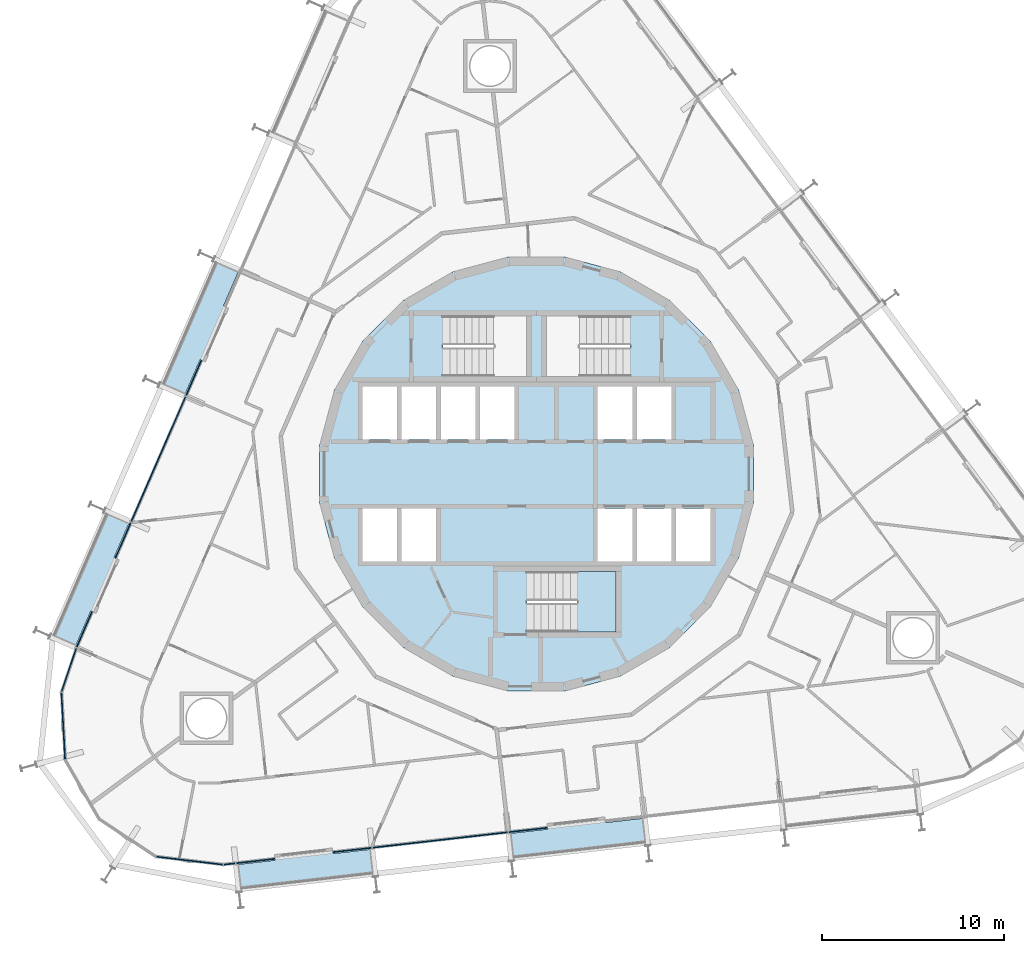
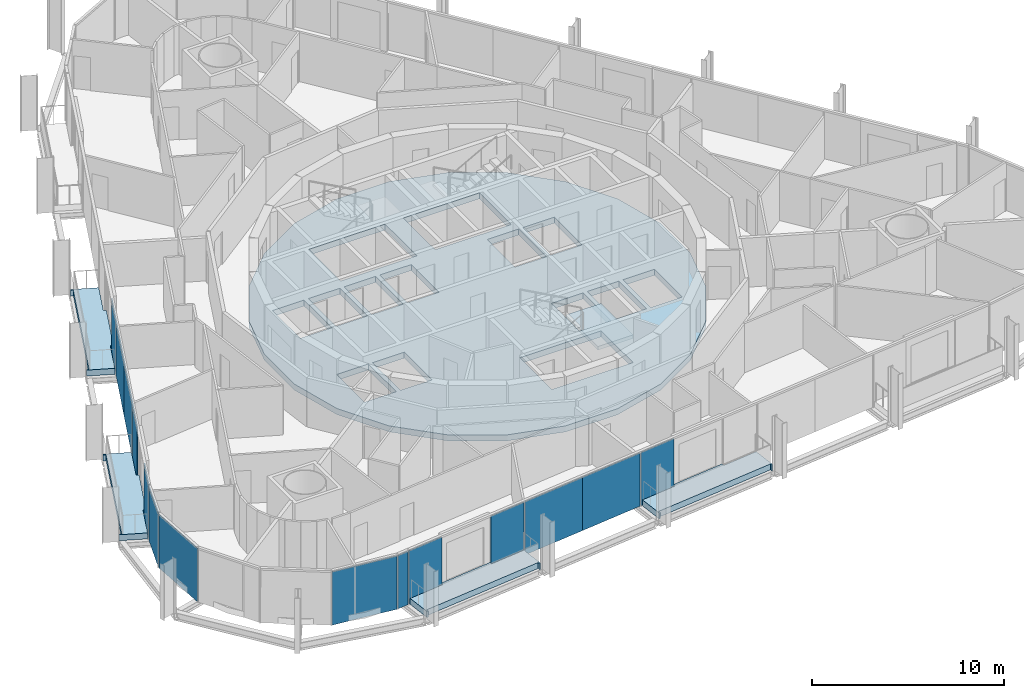
# One storey, part 13 of 24: 14 plates, 6 slabs, 4 elements without a shape of their own.
"""IFC4 building model written with IfcOpenShell, lengths in metres."""

from ifc_helpers import new_model, si_unit, direction, frame, origin, origin_2d, place, context, subcontext, project, spatial, polyline, rectangle, outline, extrude, material, layer, layer_set, type_object, element, aggregate, save


model = new_model("IFC4")

# Units and contexts
model_context = context("Model", 3, precision=1e-05, world=origin(), true_north=direction((0.0, 1.0)))
body_context = subcontext(model_context, "Body", "Model", "MODEL_VIEW")
ifc_project = project(units=[si_unit("LENGTHUNIT", "METRE"), si_unit("AREAUNIT", "SQUARE_METRE"), si_unit("VOLUMEUNIT", "CUBIC_METRE"), si_unit("PLANEANGLEUNIT", "RADIAN"), si_unit("MASSUNIT", "GRAM", prefix="KILO")], contexts=[model_context])

# Site, building, storey
site_placement = place(None, origin())
site = spatial("IfcSite", under=ifc_project, at=site_placement, CompositionType="ELEMENT")
building_placement = place(site_placement, origin())
building = spatial("IfcBuilding", under=site, at=building_placement, Name="Spindle Arch Residences", CompositionType="ELEMENT")
storey_placement = place(building_placement, frame((0.0, 0.0, 94.199951171875)))
storey = spatial("IfcBuildingStorey", under=building, at=storey_placement, Name="L22", CompositionType="ELEMENT", Elevation=94.199951171875)

# Slabs
ifc_material_1 = material(Name="Concrete C40/50", Category="concrete")
ifc_layer_1 = layer(ifc_material_1, 0.3798828125)
ifc_layer_set_1 = layer_set([ifc_layer_1], Name="Balcony slab 380")
slab_type_1 = type_object("IfcSlabType", Name="Balcony slab 380", PredefinedType="FLOOR", material=ifc_layer_set_1)
slab_1_placement = place(storey_placement, frame((0.0, 0.0, -0.3798828125)))
element("IfcSlab", 1, at=slab_1_placement, inside=storey, type_object=slab_type_1, Name="Balcony L22 bay 16", PredefinedType="FLOOR", context=body_context, shape_type="SweptSolid", body=[
    extrude(outline(polyline([(-17.704345703125, 11.715576171875), (-17.734130859375, 11.64697265625), (-17.5966796875, 11.587158203125), (-20.47509765625, 4.967041015625), (-20.61279296875, 5.02685546875), (-20.642578125, 4.9580078125), (-19.276123046875, 4.36376953125), (-18.445068359375, 6.275390625), (-18.29833984375, 6.211669921875), (-17.022216796875, 9.146240234375), (-17.1689453125, 9.2099609375), (-16.337890625, 11.12158203125), (-17.704345703125, 11.715576171875)])), origin(), (0.0, 0.0, 1.0), 0.3798828125),
])
slab_2_placement = place(storey_placement, frame((0.0, 0.0, -0.3798828125)))
element("IfcSlab", 2, at=slab_2_placement, inside=storey, type_object=slab_type_1, Name="Balcony L22 bay 18", PredefinedType="FLOOR", context=body_context, shape_type="SweptSolid", body=[
    extrude(outline(polyline([(-23.700439453125, -2.07470703125), (-23.73046875, -2.1435546875), (-23.5927734375, -2.203369140625), (-26.471435546875, -8.823486328125), (-26.60888671875, -8.763671875), (-26.638916015625, -8.832275390625), (-25.2724609375, -9.426513671875), (-24.441162109375, -7.514892578125), (-24.29443359375, -7.578857421875), (-23.0185546875, -4.644287109375), (-23.165283203125, -4.580322265625), (-22.334228515625, -2.6689453125), (-23.700439453125, -2.07470703125)])), origin(), (0.0, 0.0, 1.0), 0.3798828125),
])
slab_3_placement = place(storey_placement, frame((0.0, 0.0, -0.3798828125)))
element("IfcSlab", 3, at=slab_3_placement, inside=storey, type_object=slab_type_1, Name="Balcony L22 bay 22", PredefinedType="FLOOR", context=body_context, shape_type="SweptSolid", body=[
    extrude(outline(polyline([(-16.23486328125, -22.892578125), (-16.160400390625, -22.884033203125), (-16.177490234375, -22.735107421875), (-9.0048828125, -21.917724609375), (-8.988037109375, -22.06689453125), (-8.91357421875, -22.058349609375), (-9.08203125, -20.577880859375), (-11.153076171875, -20.81396484375), (-11.171142578125, -20.655029296875), (-14.3505859375, -21.01708984375), (-14.33251953125, -21.176025390625), (-16.403564453125, -21.412109375), (-16.23486328125, -22.892578125)])), origin(), (0.0, 0.0, 1.0), 0.3798828125),
])
slab_4_placement = place(storey_placement, frame((0.0, 0.0, -0.3798828125)))
element("IfcSlab", 4, at=slab_4_placement, inside=storey, type_object=slab_type_1, Name="Balcony L22 bay 24", PredefinedType="FLOOR", context=body_context, shape_type="SweptSolid", body=[
    extrude(outline(polyline([(-1.2939453125, -21.190185546875), (-1.219482421875, -21.181640625), (-1.236328125, -21.03271484375), (5.93603515625, -20.215576171875), (5.953125, -20.364501953125), (6.027587890625, -20.35595703125), (5.85888671875, -18.875732421875), (3.787841796875, -19.111572265625), (3.769775390625, -18.95263671875), (0.59033203125, -19.31494140625), (0.6083984375, -19.473876953125), (-1.462646484375, -19.709716796875), (-1.2939453125, -21.190185546875)])), origin(), (0.0, 0.0, 1.0), 0.3798828125),
])
ifc_material_2 = material(Name="Concrete C50/60", Category="concrete")
ifc_layer_2 = layer(ifc_material_2, 0.3798828125)
ifc_layer_set_2 = layer_set([ifc_layer_2], Name="Core floor slab 380")
slab_type_2 = type_object("IfcSlabType", Name="Core floor slab 380", PredefinedType="FLOOR", material=ifc_layer_set_2)
slab_5_placement = place(storey_placement, frame((0.0, 0.0, -0.3798828125)))
element("IfcSlab", 5, at=slab_5_placement, inside=storey, type_object=slab_type_2, Name="Core floor L22", PredefinedType="FLOOR", context=body_context, shape_type="SweptSolid", body=[
    extrude(outline(polyline([(1.56640625, -11.897216796875), (4.59228515625, -11.086669921875), (7.30517578125, -9.520263671875), (9.520263671875, -7.30517578125), (11.086669921875, -4.59228515625), (11.897216796875, -1.56640625), (11.897216796875, 1.56640625), (11.086669921875, 4.59228515625), (9.520263671875, 7.30517578125), (7.30517578125, 9.520263671875), (4.59228515625, 11.086669921875), (1.56640625, 11.897216796875), (-1.56640625, 11.897216796875), (-4.59228515625, 11.086669921875), (-7.30517578125, 9.520263671875), (-9.520263671875, 7.30517578125), (-11.086669921875, 4.59228515625), (-11.897216796875, 1.56640625), (-11.897216796875, -1.56640625), (-11.086669921875, -4.59228515625), (-9.520263671875, -7.30517578125), (-7.30517578125, -9.520263671875), (-4.59228515625, -11.086669921875), (-1.56640625, -11.897216796875), (1.56640625, -11.897216796875)]), holes=[polyline([(-9.550048828125, 1.89990234375), (-7.64990234375, 1.89990234375), (-7.64990234375, 4.800048828125), (-9.550048828125, 4.800048828125), (-9.550048828125, 1.89990234375)]), polyline([(-7.39990234375, 1.89990234375), (-5.5, 1.89990234375), (-5.5, 4.800048828125), (-7.39990234375, 4.800048828125), (-7.39990234375, 1.89990234375)]), polyline([(-5.25, 1.89990234375), (-3.35009765625, 1.89990234375), (-3.35009765625, 4.800048828125), (-5.25, 4.800048828125), (-5.25, 1.89990234375)]), polyline([(-3.10009765625, 1.89990234375), (-1.199951171875, 1.89990234375), (-1.199951171875, 4.800048828125), (-3.10009765625, 4.800048828125), (-3.10009765625, 1.89990234375)]), polyline([(3.35009765625, 1.89990234375), (5.25, 1.89990234375), (5.25, 4.800048828125), (3.35009765625, 4.800048828125), (3.35009765625, 1.89990234375)]), polyline([(5.5, 1.89990234375), (7.39990234375, 1.89990234375), (7.39990234375, 4.800048828125), (5.5, 4.800048828125), (5.5, 1.89990234375)]), polyline([(-9.550048828125, -4.800048828125), (-7.64990234375, -4.800048828125), (-7.64990234375, -1.89990234375), (-9.550048828125, -1.89990234375), (-9.550048828125, -4.800048828125)]), polyline([(-7.39990234375, -4.800048828125), (-5.5, -4.800048828125), (-5.5, -1.89990234375), (-7.39990234375, -1.89990234375), (-7.39990234375, -4.800048828125)]), polyline([(3.35009765625, -4.800048828125), (5.25, -4.800048828125), (5.25, -1.89990234375), (3.35009765625, -1.89990234375), (3.35009765625, -4.800048828125)]), polyline([(5.5, -4.800048828125), (7.39990234375, -4.800048828125), (7.39990234375, -1.89990234375), (5.5, -1.89990234375), (5.5, -4.800048828125)]), polyline([(7.64990234375, -4.800048828125), (9.550048828125, -4.800048828125), (9.550048828125, -1.89990234375), (7.64990234375, -1.89990234375), (7.64990234375, -4.800048828125)]), polyline([(5.1298828125, 8.669921875), (0.550048828125, 8.669921875), (0.550048828125, 5.35009765625), (5.1298828125, 5.35009765625), (5.1298828125, 8.669921875)]), polyline([(-5.1298828125, 5.35009765625), (-0.550048828125, 5.35009765625), (-0.550048828125, 8.669921875), (-5.1298828125, 8.669921875), (-5.1298828125, 5.35009765625)]), polyline([(-0.530029296875, -8.669921875), (4.35009765625, -8.669921875), (4.35009765625, -5.35009765625), (-0.530029296875, -5.35009765625), (-0.530029296875, -8.669921875)])]), origin(), (0.0, 0.0, 1.0), 0.3798828125),
])

# Stair, slab
ifc_material_3 = material(Name="Concrete C50/60", Category="concrete")
stair_type = type_object("IfcStairType", Name="Exit stair 16 risers", PredefinedType="HALF_TURN_STAIR", material=ifc_material_3)
stair_placement = place(storey_placement, origin())
stair = element("IfcStair", 6, at=stair_placement, inside=storey, type_object=stair_type, Name="L22 Exit stair ST3", PredefinedType="HALF_TURN_STAIR")
ifc_material_4 = material(Name="Concrete C50/60", Category="concrete")
ifc_layer_3 = layer(ifc_material_4, 0.219970703125)
ifc_layer_set_3 = layer_set([ifc_layer_3], Name="Exit stair landing 220")
slab_type_3 = type_object("IfcSlabType", Name="Exit stair landing 220", PredefinedType="LANDING", material=ifc_layer_set_3)
slab_6_placement = place(storey_placement, frame((0.0, 0.0, 1.530029296875)))
slab_6 = element("IfcSlab", 7, at=slab_6_placement, type_object=slab_type_3, Name="ST3 landing 1", PredefinedType="LANDING", context=body_context, shape_type="SweptSolid", body=[
    extrude(outline(polyline([(2.22998046875, -8.669921875), (4.35009765625, -8.669921875), (4.35009765625, -5.35009765625), (2.22998046875, -5.35009765625), (2.22998046875, -8.669921875)])), origin(), (0.0, 0.0, 1.0), 0.219970703125),
])
aggregate(stair, [slab_6])

# Curtain wall, plates
ifc_material_5 = material(Name="Aluminium bronze unitised frame with tinted glass", Category="aluminium")
ifc_layer_4 = layer(ifc_material_5, 0.159912109375)
ifc_layer_set_4 = layer_set([ifc_layer_4], Name="CW-C typical residential unitised wall")
curtain_wall_type_1 = type_object("IfcCurtainWallType", Name="CW-C typical residential unitised wall", PredefinedType="NOTDEFINED", material=ifc_layer_set_4)
curtain_wall_1_placement = place(storey_placement, origin())
curtain_wall_1 = element("IfcCurtainWall", 8, at=curtain_wall_1_placement, inside=storey, type_object=curtain_wall_type_1, Name="CW-C L22 run 4", PredefinedType="NOTDEFINED")
ifc_material_6 = material(Name="Tinted double glazing over aluminium faced non-combustible spandrel zone (K0)", Category="aluminium")
ifc_layer_5 = layer(ifc_material_6, 0.06005859375)
ifc_layer_set_5 = layer_set([ifc_layer_5], Name="Unitised glass panel with E 60 spandrel zone")
plate_type = type_object("IfcPlateType", Name="Unitised glass panel with E 60 spandrel zone", PredefinedType="CURTAIN_PANEL", material=ifc_layer_set_5)
plate_1_placement = place(storey_placement, frame((-18.796142578125, 5.26708984375, -0.3798828125), z_axis=(0.0, 0.0, 1.0), x_axis=(-0.398749068925, -0.917060074385, 0.0)))
plate_1 = element("IfcPlate", 9, at=plate_1_placement, type_object=plate_type, Name="CW-C unit 15R", PredefinedType="CURTAIN_PANEL", context=body_context, shape_type="SweptSolid", body=[
    extrude(rectangle(XDim=2.12939453125, YDim=0.06005859375, at=origin_2d()), origin(), (0.0, 0.0, 1.0), 3.3798828125),
])
plate_2_placement = place(storey_placement, frame((-19.98828125, 2.525634765625, -0.3798828125), z_axis=(0.0, 0.0, 1.0), x_axis=(-0.398749068925, -0.917060074385, 0.0)))
plate_2 = element("IfcPlate", 10, at=plate_2_placement, type_object=plate_type, Name="CW-C unit 16A", PredefinedType="CURTAIN_PANEL", context=body_context, shape_type="SweptSolid", body=[
    extrude(rectangle(XDim=3.7294921875, YDim=0.06005859375, at=origin_2d()), origin(), (0.0, 0.0, 1.0), 3.3798828125),
])
plate_3_placement = place(storey_placement, frame((-21.475341796875, -0.89453125, -0.3798828125), z_axis=(0.0, 0.0, 1.0), x_axis=(-0.398749068925, -0.917060074385, 0.0)))
plate_3 = element("IfcPlate", 11, at=plate_3_placement, type_object=plate_type, Name="CW-C unit 16B", PredefinedType="CURTAIN_PANEL", context=body_context, shape_type="SweptSolid", body=[
    extrude(rectangle(XDim=3.7294921875, YDim=0.06005859375, at=origin_2d()), origin(), (0.0, 0.0, 1.0), 3.3798828125),
])
plate_4_placement = place(storey_placement, frame((-22.66748046875, -3.635986328125, -0.3798828125), z_axis=(0.0, 0.0, 1.0), x_axis=(-0.398749068925, -0.917060074385, 0.0)))
plate_4 = element("IfcPlate", 12, at=plate_4_placement, type_object=plate_type, Name="CW-C unit 17L", PredefinedType="CURTAIN_PANEL", context=body_context, shape_type="SweptSolid", body=[
    extrude(rectangle(XDim=2.12939453125, YDim=0.06005859375, at=origin_2d()), origin(), (0.0, 0.0, 1.0), 3.3798828125),
])
plate_5_placement = place(storey_placement, frame((-24.79248046875, -8.523193359375, -0.3798828125), z_axis=(0.0, 0.0, 1.0), x_axis=(-0.398749068925, -0.917060074385, 0.0)))
plate_5 = element("IfcPlate", 13, at=plate_5_placement, type_object=plate_type, Name="CW-C unit 17R", PredefinedType="CURTAIN_PANEL", context=body_context, shape_type="SweptSolid", body=[
    extrude(rectangle(XDim=2.12939453125, YDim=0.06005859375, at=origin_2d()), origin(), (0.0, 0.0, 1.0), 3.3798828125),
])
aggregate(curtain_wall_1, [plate_1, plate_2, plate_3, plate_4, plate_5])

ifc_material_7 = material(Name="Aluminium bronze unitised frame with tinted glass", Category="aluminium")
ifc_layer_6 = layer(ifc_material_7, 0.159912109375)
ifc_layer_set_6 = layer_set([ifc_layer_6], Name="CW-D corner wall on the fillet arcs")
curtain_wall_type_2 = type_object("IfcCurtainWallType", Name="CW-D corner wall on the fillet arcs", PredefinedType="NOTDEFINED", material=ifc_layer_set_6)
curtain_wall_2_placement = place(storey_placement, origin())
curtain_wall_2 = element("IfcCurtainWall", 14, at=curtain_wall_2_placement, inside=storey, type_object=curtain_wall_type_2, Name="CW-D L22 run 5", PredefinedType="NOTDEFINED")
plate_6_placement = place(storey_placement, frame((-25.640380859375, -10.746826171875, -0.3798828125), z_axis=(0.0, 0.0, 1.0), x_axis=(-0.319727106941, -0.947509671237, 0.0)))
plate_6 = element("IfcPlate", 15, at=plate_6_placement, type_object=plate_type, Name="CW-D unit 00", PredefinedType="CURTAIN_PANEL", context=body_context, shape_type="SweptSolid", body=[
    extrude(rectangle(XDim=2.51416015625, YDim=0.06005859375, at=origin_2d()), origin(), (0.0, 0.0, 1.0), 3.3798828125),
])
plate_7_placement = place(storey_placement, frame((-25.948974609375, -13.82666015625, -0.3798828125), z_axis=(0.0, 0.0, 1.0), x_axis=(0.055240622495, -0.998473071057, 0.0)))
plate_7 = element("IfcPlate", 16, at=plate_7_placement, type_object=plate_type, Name="CW-D unit 01", PredefinedType="CURTAIN_PANEL", context=body_context, shape_type="SweptSolid", body=[
    extrude(rectangle(XDim=3.666748046875, YDim=0.06005859375, at=origin_2d()), origin(), (0.0, 0.0, 1.0), 3.3798828125),
])
plate_8_placement = place(storey_placement, frame((-19.034423828125, -21.19873046875, -0.3798828125), z_axis=(0.0, 0.0, 1.0), x_axis=(0.992896454881, -0.118981636756, 0.0)))
plate_8 = element("IfcPlate", 17, at=plate_8_placement, type_object=plate_type, Name="CW-D unit 04", PredefinedType="CURTAIN_PANEL", context=body_context, shape_type="SweptSolid", body=[
    extrude(rectangle(XDim=3.666748046875, YDim=0.06005859375, at=origin_2d()), origin(), (0.0, 0.0, 1.0), 3.3798828125),
])
plate_9_placement = place(storey_placement, frame((-16.835693359375, -21.380859375, -0.3798828125), z_axis=(0.0, 0.0, 1.0), x_axis=(0.993571855677, 0.113203213768, 0.0)))
plate_9 = element("IfcPlate", 18, at=plate_9_placement, type_object=plate_type, Name="CW-D unit 05", PredefinedType="CURTAIN_PANEL", context=body_context, shape_type="SweptSolid", body=[
    extrude(rectangle(XDim=0.6416015625, YDim=0.06005859375, at=origin_2d()), origin(), (0.0, 0.0, 1.0), 3.3798828125),
])
aggregate(curtain_wall_2, [plate_6, plate_7, plate_8, plate_9])

curtain_wall_3_placement = place(storey_placement, origin())
curtain_wall_3 = element("IfcCurtainWall", 19, at=curtain_wall_3_placement, inside=storey, type_object=curtain_wall_type_1, Name="CW-C L22 run 6", PredefinedType="NOTDEFINED")
plate_10_placement = place(storey_placement, frame((-15.3994140625, -21.21728515625, -0.3798828125), z_axis=(0.0, 0.0, 1.0), x_axis=(0.993571855677, 0.113203213768, 0.0)))
plate_10 = element("IfcPlate", 20, at=plate_10_placement, type_object=plate_type, Name="CW-C unit 21L", PredefinedType="CURTAIN_PANEL", context=body_context, shape_type="SweptSolid", body=[
    extrude(rectangle(XDim=2.12939453125, YDim=0.06005859375, at=origin_2d()), origin(), (0.0, 0.0, 1.0), 3.3798828125),
])
plate_11_placement = place(storey_placement, frame((-10.104248046875, -20.61376953125, -0.3798828125), z_axis=(0.0, 0.0, 1.0), x_axis=(0.993571855677, 0.113203213768, 0.0)))
plate_11 = element("IfcPlate", 21, at=plate_11_placement, type_object=plate_type, Name="CW-C unit 21R", PredefinedType="CURTAIN_PANEL", context=body_context, shape_type="SweptSolid", body=[
    extrude(rectangle(XDim=2.12939453125, YDim=0.06005859375, at=origin_2d()), origin(), (0.0, 0.0, 1.0), 3.3798828125),
])
plate_12_placement = place(storey_placement, frame((-7.134033203125, -20.275390625, -0.3798828125), z_axis=(0.0, 0.0, 1.0), x_axis=(0.993571855677, 0.113203213768, 0.0)))
plate_12 = element("IfcPlate", 22, at=plate_12_placement, type_object=plate_type, Name="CW-C unit 22A", PredefinedType="CURTAIN_PANEL", context=body_context, shape_type="SweptSolid", body=[
    extrude(rectangle(XDim=3.7294921875, YDim=0.06005859375, at=origin_2d()), origin(), (0.0, 0.0, 1.0), 3.3798828125),
])
plate_13_placement = place(storey_placement, frame((-3.4287109375, -19.853271484375, -0.3798828125), z_axis=(0.0, 0.0, 1.0), x_axis=(0.993571855677, 0.113203213768, 0.0)))
plate_13 = element("IfcPlate", 23, at=plate_13_placement, type_object=plate_type, Name="CW-C unit 22B", PredefinedType="CURTAIN_PANEL", context=body_context, shape_type="SweptSolid", body=[
    extrude(rectangle(XDim=3.7294921875, YDim=0.06005859375, at=origin_2d()), origin(), (0.0, 0.0, 1.0), 3.3798828125),
])
plate_14_placement = place(storey_placement, frame((-0.45849609375, -19.514892578125, -0.3798828125), z_axis=(0.0, 0.0, 1.0), x_axis=(0.993571855677, 0.113203213768, 0.0)))
plate_14 = element("IfcPlate", 24, at=plate_14_placement, type_object=plate_type, Name="CW-C unit 23L", PredefinedType="CURTAIN_PANEL", context=body_context, shape_type="SweptSolid", body=[
    extrude(rectangle(XDim=2.12939453125, YDim=0.06005859375, at=origin_2d()), origin(), (0.0, 0.0, 1.0), 3.3798828125),
])
aggregate(curtain_wall_3, [plate_10, plate_11, plate_12, plate_13, plate_14])

save(model, "model.ifc")
